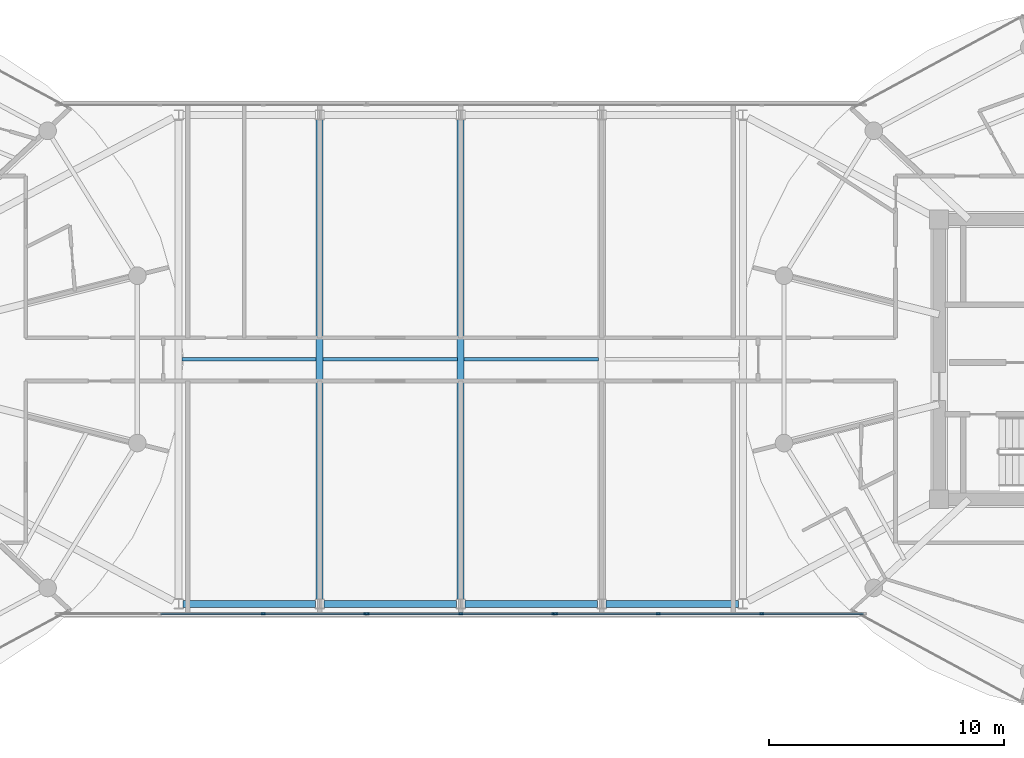
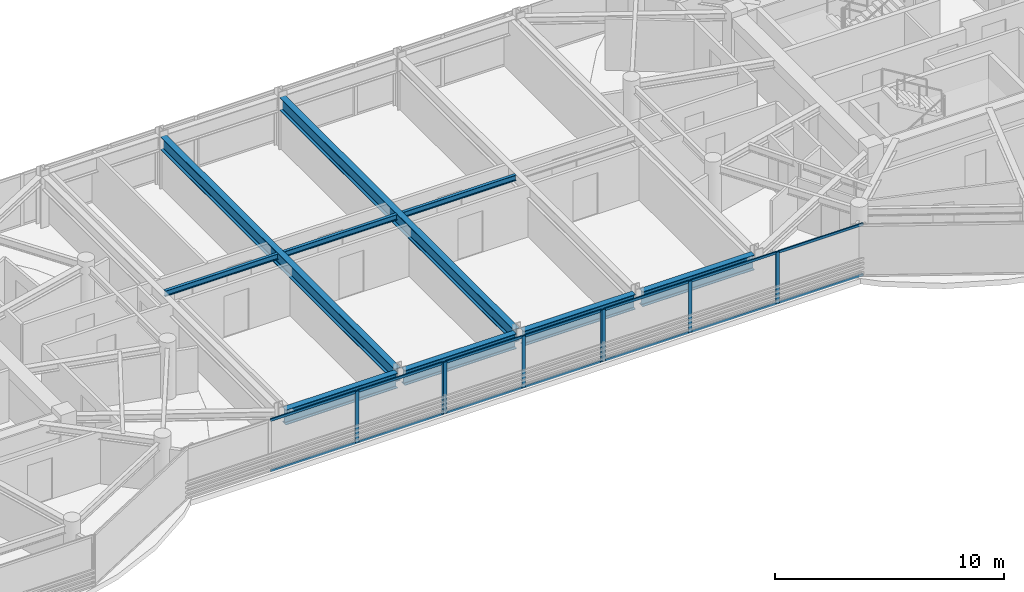
# One storey, part 6 of 24: 22 members, 9 beams, 3 elements without a shape of their own.
"""IFC4 building model written with IfcOpenShell, lengths in metres."""

from ifc_helpers import new_model, si_unit, direction, frame, origin, origin_2d, place, context, subcontext, project, spatial, rectangle, i_section, extrude, source, transform, mapped, material, layer, layer_set, material_profile, profile_set, type_object, type_shapes, element, aggregate, save


model = new_model("IFC4")

# Units and contexts
model_context = context("Model", 3, precision=1e-05, world=origin(), true_north=direction((0.0, 1.0)))
body_context = subcontext(model_context, "Body", "Model", "MODEL_VIEW")
ifc_project = project(units=[si_unit("LENGTHUNIT", "METRE"), si_unit("AREAUNIT", "SQUARE_METRE"), si_unit("VOLUMEUNIT", "CUBIC_METRE"), si_unit("PLANEANGLEUNIT", "RADIAN"), si_unit("MASSUNIT", "GRAM", prefix="KILO")], contexts=[model_context])

# Site, building, storey
site_placement = place(None, origin())
site = spatial("IfcSite", under=ifc_project, at=site_placement, CompositionType="ELEMENT")
building_placement = place(site_placement, origin())
building = spatial("IfcBuilding", under=site, at=building_placement, Name="Norrkilde Senior Care Towers", CompositionType="ELEMENT")
storey_placement = place(building_placement, frame((0.0, 0.0, 213.89990234375)))
storey = spatial("IfcBuildingStorey", under=building, at=storey_placement, Name="L66", CompositionType="ELEMENT", Elevation=213.89990234375)

# Beams
ifc_material_1 = material(Name="Steel S355", Category="steel")
ifc_material_profile_1 = material_profile(ifc_material_1, i_section(OverallWidth=0.300048828125, OverallDepth=0.699951171875, WebThickness=0.01708984375, FlangeThickness=0.031982421875, FilletRadius=0.027099609375, at=origin_2d()), Name="HEB 700")
ifc_profile_set_1 = profile_set([ifc_material_profile_1], Name="Steel S355")
beam_type_1 = type_object("IfcBeamType", Name="Bridge Cross Girder HEB700", PredefinedType="USERDEFINED", material=ifc_profile_set_1)
shared_shape_1 = source(origin(), body_context, "Body", "SweptSolid", [
    extrude(i_section(OverallWidth=0.300048828125, OverallDepth=0.699951171875, WebThickness=0.01708984375, FlangeThickness=0.031982421875, FilletRadius=0.027099609375, at=origin_2d()), origin(), (0.0, 0.0, 1.0), 20.43994140625),
])
type_shapes(beam_type_1, [shared_shape_1])
for number, where, z_axis, x_axis, name in (
    (1, (-6.0, -10.219970703125, 2.41015625), (0.0, 1.0, 0.0), (-1.0, 0.0, 0.0), "L66 Sky-Gate Bridge Cross Girder -6"),
    (2, (0.0, -10.219970703125, 2.41015625), (0.0, 1.0, 0.0), (-1.0, 0.0, 0.0), "L66 Sky-Gate Bridge Cross Girder +0"),
):
    element("IfcBeam", number, at=place(storey_placement, frame(where, z_axis=z_axis, x_axis=x_axis)), inside=storey, type_object=beam_type_1, Name=name, ObjectType="GIRDER", PredefinedType="USERDEFINED", context=body_context, shape_type="MappedRepresentation", body=[
        mapped(shared_shape_1, transform((0.0, 0.0, 0.0), x_axis=(1.0, 0.0, 0.0), y_axis=(0.0, 1.0, 0.0), z_axis=(0.0, 0.0, 1.0), scale=1.0)),
    ])
ifc_material_profile_2 = material_profile(ifc_material_1, i_section(OverallWidth=0.300048828125, OverallDepth=0.800048828125, WebThickness=0.017578125, FlangeThickness=0.032958984375, FilletRadius=0.030029296875, at=origin_2d()), Name="HEB 800")
ifc_profile_set_2 = profile_set([ifc_material_profile_2], Name="Steel S355")
beam_type_2 = type_object("IfcBeamType", Name="Bridge Floor Girder HEB800", PredefinedType="USERDEFINED", material=ifc_profile_set_2)
shared_shape_2 = source(origin(), body_context, "Body", "SweptSolid", [
    extrude(i_section(OverallWidth=0.300048828125, OverallDepth=0.800048828125, WebThickness=0.017578125, FlangeThickness=0.032958984375, FilletRadius=0.030029296875, at=origin_2d()), origin(), (0.0, 0.0, 1.0), 5.64013671875),
])
type_shapes(beam_type_2, [shared_shape_2])
for number, where, z_axis, x_axis, name in (
    (3, (-11.820068359375, -10.39990234375, 2.360107421875), (1.0, 0.0, 0.0), (0.0, 1.0, 0.0), "L66 Sky-Gate Bridge Girder S2"),
    (4, (-5.820068359375, -10.39990234375, 2.360107421875), (1.0, 0.0, 0.0), (0.0, 1.0, 0.0), "L66 Sky-Gate Bridge Girder S3"),
    (5, (0.179931640625, -10.39990234375, 2.360107421875), (1.0, 0.0, 0.0), (0.0, 1.0, 0.0), "L66 Sky-Gate Bridge Girder S4"),
    (6, (6.179931640625, -10.39990234375, 2.360107421875), (1.0, 0.0, 0.0), (0.0, 1.0, 0.0), "L66 Sky-Gate Bridge Girder S5"),
):
    element("IfcBeam", number, at=place(storey_placement, frame(where, z_axis=z_axis, x_axis=x_axis)), inside=storey, type_object=beam_type_2, Name=name, ObjectType="GIRDER", PredefinedType="USERDEFINED", context=body_context, shape_type="MappedRepresentation", body=[
        mapped(shared_shape_2, transform((0.0, 0.0, 0.0), x_axis=(1.0, 0.0, 0.0), y_axis=(0.0, 1.0, 0.0), z_axis=(0.0, 0.0, 1.0), scale=1.0)),
    ])
ifc_material_profile_3 = material_profile(ifc_material_1, i_section(OverallWidth=0.14990234375, OverallDepth=0.300048828125, WebThickness=0.007080078125, FlangeThickness=0.0107421875, FilletRadius=0.014892578125, at=origin_2d()), Name="IPE 300")
ifc_profile_set_3 = profile_set([ifc_material_profile_3], Name="Steel S355")
beam_type_3 = type_object("IfcBeamType", Name="Bridge Deck Joist IPE300", PredefinedType="JOIST", material=ifc_profile_set_3)
shared_shape_3 = source(origin(), body_context, "Body", "SweptSolid", [
    extrude(i_section(OverallWidth=0.14990234375, OverallDepth=0.300048828125, WebThickness=0.007080078125, FlangeThickness=0.0107421875, FilletRadius=0.014892578125, at=origin_2d()), origin(), (0.0, 0.0, 1.0), 5.7099609375),
])
type_shapes(beam_type_3, [shared_shape_3])
for number, where, z_axis, x_axis, name in (
    (7, (-11.85498046875, 0.0, 2.610107421875), (1.0, 0.0, 0.0), (0.0, 1.0, 0.0), "L66 Bridge Deck Joist 1"),
    (8, (-5.85498046875, 0.0, 2.610107421875), (1.0, 0.0, 0.0), (0.0, 1.0, 0.0), "L66 Bridge Deck Joist 2"),
    (9, (0.14501953125, 0.0, 2.610107421875), (1.0, 0.0, 0.0), (0.0, 1.0, 0.0), "L66 Bridge Deck Joist 3"),
):
    element("IfcBeam", number, at=place(storey_placement, frame(where, z_axis=z_axis, x_axis=x_axis)), inside=storey, type_object=beam_type_3, Name=name, PredefinedType="JOIST", context=body_context, shape_type="MappedRepresentation", body=[
        mapped(shared_shape_3, transform((0.0, 0.0, 0.0), x_axis=(1.0, 0.0, 0.0), y_axis=(0.0, 1.0, 0.0), z_axis=(0.0, 0.0, 1.0), scale=1.0)),
    ])

# Curtain wall, members
ifc_material_2 = material(Name="Triple Low-E Insulated Glazing", Category="glass")
ifc_layer = layer(ifc_material_2, 0.2099609375)
ifc_layer_set = layer_set([ifc_layer], Name="Triple Low-E Insulated Glazing")
curtain_wall_type = type_object("IfcCurtainWallType", Name="CW5 Sky-Gate Bridge Curtain Wall", PredefinedType="NOTDEFINED", material=ifc_layer_set)
curtain_wall_1_placement = place(storey_placement, origin())
curtain_wall_1 = element("IfcCurtainWall", 10, at=curtain_wall_1_placement, inside=storey, type_object=curtain_wall_type, Name="L66 Sky-Gate Bridge South Curtain Wall 1", PredefinedType="NOTDEFINED")
ifc_material_3 = material(Name="Anodised Aluminium", Category="aluminium")
ifc_material_profile_4 = material_profile(ifc_material_3, rectangle(XDim=0.06494140625, YDim=0.1298828125, at=origin_2d()), Name="ALU TRAN 65x130")
ifc_profile_set_4 = profile_set([ifc_material_profile_4], Name="Anodised Aluminium")
member_type_1 = type_object("IfcMemberType", Name="Curtain Wall Transom Heavy 65x130", PredefinedType="USERDEFINED", material=ifc_profile_set_4)
shared_shape_4 = source(origin(), body_context, "Body", "SweptSolid", [
    extrude(rectangle(XDim=0.06494140625, YDim=0.1298828125, at=origin_2d()), origin(), (0.0, 0.0, 1.0), 4.294921875),
])
member_1_placement = place(storey_placement, frame((17.1298828125, -10.820068359375, 0.03271484375), z_axis=(-1.0, 0.0, 0.0), x_axis=(0.0, -1.0, 0.0)))
member_1 = element("IfcMember", 11, at=member_1_placement, type_object=member_type_1, Name="CW-5 transom 1.1", ObjectType="TRANSOM", PredefinedType="USERDEFINED", context=body_context, shape_type="MappedRepresentation", body=[
    mapped(shared_shape_4, transform((0.0, 0.0, 0.0), x_axis=(1.0, 0.0, 0.0), y_axis=(0.0, 1.0, 0.0), z_axis=(0.0, 0.0, 1.0), scale=1.0)),
])
member_2_placement = place(storey_placement, frame((17.1298828125, -10.820068359375, 2.7275390625), z_axis=(-1.0, 0.0, 0.0), x_axis=(0.0, -1.0, 0.0)))
member_2 = element("IfcMember", 12, at=member_2_placement, type_object=member_type_1, Name="CW-5 transom 1.2", ObjectType="TRANSOM", PredefinedType="USERDEFINED", context=body_context, shape_type="MappedRepresentation", body=[
    mapped(shared_shape_4, transform((0.0, 0.0, 0.0), x_axis=(1.0, 0.0, 0.0), y_axis=(0.0, 1.0, 0.0), z_axis=(0.0, 0.0, 1.0), scale=1.0)),
])
member_3_placement = place(storey_placement, frame((8.364990234375, -10.820068359375, 0.03271484375), z_axis=(-1.0, 0.0, 0.0), x_axis=(0.0, -1.0, 0.0)))
member_3 = element("IfcMember", 13, at=member_3_placement, type_object=member_type_1, Name="CW-5 transom 3.1", ObjectType="TRANSOM", PredefinedType="USERDEFINED", context=body_context, shape_type="MappedRepresentation", body=[
    mapped(shared_shape_4, transform((0.0, 0.0, 0.0), x_axis=(1.0, 0.0, 0.0), y_axis=(0.0, 1.0, 0.0), z_axis=(0.0, 0.0, 1.0), scale=1.0)),
])
member_4_placement = place(storey_placement, frame((8.364990234375, -10.820068359375, 2.7275390625), z_axis=(-1.0, 0.0, 0.0), x_axis=(0.0, -1.0, 0.0)))
member_4 = element("IfcMember", 14, at=member_4_placement, type_object=member_type_1, Name="CW-5 transom 3.2", ObjectType="TRANSOM", PredefinedType="USERDEFINED", context=body_context, shape_type="MappedRepresentation", body=[
    mapped(shared_shape_4, transform((0.0, 0.0, 0.0), x_axis=(1.0, 0.0, 0.0), y_axis=(0.0, 1.0, 0.0), z_axis=(0.0, 0.0, 1.0), scale=1.0)),
])

curtain_wall_2_placement = place(storey_placement, origin())
curtain_wall_2 = element("IfcCurtainWall", 15, at=curtain_wall_2_placement, inside=storey, type_object=curtain_wall_type, Name="L66 Sky-Gate Bridge South Curtain Wall 3", PredefinedType="NOTDEFINED")
member_5_placement = place(storey_placement, frame((-4.070068359375, -10.820068359375, 0.03271484375), z_axis=(-1.0, 0.0, 0.0), x_axis=(0.0, -1.0, 0.0)))
member_5 = element("IfcMember", 16, at=member_5_placement, type_object=member_type_1, Name="CW-5 transom 1.1", ObjectType="TRANSOM", PredefinedType="USERDEFINED", context=body_context, shape_type="MappedRepresentation", body=[
    mapped(shared_shape_4, transform((0.0, 0.0, 0.0), x_axis=(1.0, 0.0, 0.0), y_axis=(0.0, 1.0, 0.0), z_axis=(0.0, 0.0, 1.0), scale=1.0)),
])
member_6_placement = place(storey_placement, frame((-4.070068359375, -10.820068359375, 2.7275390625), z_axis=(-1.0, 0.0, 0.0), x_axis=(0.0, -1.0, 0.0)))
member_6 = element("IfcMember", 17, at=member_6_placement, type_object=member_type_1, Name="CW-5 transom 1.2", ObjectType="TRANSOM", PredefinedType="USERDEFINED", context=body_context, shape_type="MappedRepresentation", body=[
    mapped(shared_shape_4, transform((0.0, 0.0, 0.0), x_axis=(1.0, 0.0, 0.0), y_axis=(0.0, 1.0, 0.0), z_axis=(0.0, 0.0, 1.0), scale=1.0)),
])

# Member
shared_shape_5 = source(origin(), body_context, "Body", "SweptSolid", [
    extrude(rectangle(XDim=0.06494140625, YDim=0.1298828125, at=origin_2d()), origin(), (0.0, 0.0, 1.0), 4.329833984375),
])
member_7_placement = place(storey_placement, frame((12.764892578125, -10.820068359375, 0.03271484375), z_axis=(-1.0, 0.0, 0.0), x_axis=(0.0, -1.0, 0.0)))
member_7 = element("IfcMember", 18, at=member_7_placement, type_object=member_type_1, Name="CW-5 transom 2.1", ObjectType="TRANSOM", PredefinedType="USERDEFINED", context=body_context, shape_type="MappedRepresentation", body=[
    mapped(shared_shape_5, transform((0.0, 0.0, 0.0), x_axis=(1.0, 0.0, 0.0), y_axis=(0.0, 1.0, 0.0), z_axis=(0.0, 0.0, 1.0), scale=1.0)),
])

member_8_placement = place(storey_placement, frame((12.764892578125, -10.820068359375, 2.7275390625), z_axis=(-1.0, 0.0, 0.0), x_axis=(0.0, -1.0, 0.0)))
member_8 = element("IfcMember", 19, at=member_8_placement, type_object=member_type_1, Name="CW-5 transom 2.2", ObjectType="TRANSOM", PredefinedType="USERDEFINED", context=body_context, shape_type="MappedRepresentation", body=[
    mapped(shared_shape_5, transform((0.0, 0.0, 0.0), x_axis=(1.0, 0.0, 0.0), y_axis=(0.0, 1.0, 0.0), z_axis=(0.0, 0.0, 1.0), scale=1.0)),
])

member_9_placement = place(storey_placement, frame((-8.43505859375, -10.820068359375, 0.03271484375), z_axis=(-1.0, 0.0, 0.0), x_axis=(0.0, -1.0, 0.0)))
member_9 = element("IfcMember", 20, at=member_9_placement, type_object=member_type_1, Name="CW-5 transom 2.1", ObjectType="TRANSOM", PredefinedType="USERDEFINED", context=body_context, shape_type="MappedRepresentation", body=[
    mapped(shared_shape_5, transform((0.0, 0.0, 0.0), x_axis=(1.0, 0.0, 0.0), y_axis=(0.0, 1.0, 0.0), z_axis=(0.0, 0.0, 1.0), scale=1.0)),
])

member_10_placement = place(storey_placement, frame((-8.43505859375, -10.820068359375, 2.7275390625), z_axis=(-1.0, 0.0, 0.0), x_axis=(0.0, -1.0, 0.0)))
member_10 = element("IfcMember", 21, at=member_10_placement, type_object=member_type_1, Name="CW-5 transom 2.2", ObjectType="TRANSOM", PredefinedType="USERDEFINED", context=body_context, shape_type="MappedRepresentation", body=[
    mapped(shared_shape_5, transform((0.0, 0.0, 0.0), x_axis=(1.0, 0.0, 0.0), y_axis=(0.0, 1.0, 0.0), z_axis=(0.0, 0.0, 1.0), scale=1.0)),
])

# Curtain wall, members
curtain_wall_3_placement = place(storey_placement, origin())
curtain_wall_3 = element("IfcCurtainWall", 22, at=curtain_wall_3_placement, inside=storey, type_object=curtain_wall_type, Name="L66 Sky-Gate Bridge South Curtain Wall 2", PredefinedType="NOTDEFINED")
shared_shape_6 = source(origin(), body_context, "Body", "SweptSolid", [
    extrude(rectangle(XDim=0.06494140625, YDim=0.1298828125, at=origin_2d()), origin(), (0.0, 0.0, 1.0), 3.89501953125),
])
type_shapes(member_type_1, [shared_shape_4, shared_shape_5, shared_shape_6])
member_11_placement = place(storey_placement, frame((3.929931640625, -10.820068359375, 0.03271484375), z_axis=(-1.0, 0.0, 0.0), x_axis=(0.0, -1.0, 0.0)))
member_11 = element("IfcMember", 23, at=member_11_placement, type_object=member_type_1, Name="CW-5 transom 1.1", ObjectType="TRANSOM", PredefinedType="USERDEFINED", context=body_context, shape_type="MappedRepresentation", body=[
    mapped(shared_shape_6, transform((0.0, 0.0, 0.0), x_axis=(1.0, 0.0, 0.0), y_axis=(0.0, 1.0, 0.0), z_axis=(0.0, 0.0, 1.0), scale=1.0)),
])
member_12_placement = place(storey_placement, frame((3.929931640625, -10.820068359375, 2.7275390625), z_axis=(-1.0, 0.0, 0.0), x_axis=(0.0, -1.0, 0.0)))
member_12 = element("IfcMember", 24, at=member_12_placement, type_object=member_type_1, Name="CW-5 transom 1.2", ObjectType="TRANSOM", PredefinedType="USERDEFINED", context=body_context, shape_type="MappedRepresentation", body=[
    mapped(shared_shape_6, transform((0.0, 0.0, 0.0), x_axis=(1.0, 0.0, 0.0), y_axis=(0.0, 1.0, 0.0), z_axis=(0.0, 0.0, 1.0), scale=1.0)),
])
member_13_placement = place(storey_placement, frame((-0.034912109375, -10.820068359375, 0.03271484375), z_axis=(-1.0, 0.0, 0.0), x_axis=(0.0, -1.0, 0.0)))
member_13 = element("IfcMember", 25, at=member_13_placement, type_object=member_type_1, Name="CW-5 transom 2.1", ObjectType="TRANSOM", PredefinedType="USERDEFINED", context=body_context, shape_type="MappedRepresentation", body=[
    mapped(shared_shape_6, transform((0.0, 0.0, 0.0), x_axis=(1.0, 0.0, 0.0), y_axis=(0.0, 1.0, 0.0), z_axis=(0.0, 0.0, 1.0), scale=1.0)),
])
member_14_placement = place(storey_placement, frame((-0.034912109375, -10.820068359375, 2.7275390625), z_axis=(-1.0, 0.0, 0.0), x_axis=(0.0, -1.0, 0.0)))
member_14 = element("IfcMember", 26, at=member_14_placement, type_object=member_type_1, Name="CW-5 transom 2.2", ObjectType="TRANSOM", PredefinedType="USERDEFINED", context=body_context, shape_type="MappedRepresentation", body=[
    mapped(shared_shape_6, transform((0.0, 0.0, 0.0), x_axis=(1.0, 0.0, 0.0), y_axis=(0.0, 1.0, 0.0), z_axis=(0.0, 0.0, 1.0), scale=1.0)),
])

# Member
ifc_material_profile_5 = material_profile(ifc_material_3, rectangle(XDim=0.070068359375, YDim=0.169921875, at=origin_2d()), Name="ALU MULL 70x170")
ifc_profile_set_5 = profile_set([ifc_material_profile_5], Name="Anodised Aluminium")
member_type_2 = type_object("IfcMemberType", Name="Curtain Wall Mullion Heavy 70x170", PredefinedType="MULLION", material=ifc_profile_set_5)
shared_shape_7 = source(origin(), body_context, "Body", "SweptSolid", [
    extrude(rectangle(XDim=0.070068359375, YDim=0.169921875, at=origin_2d()), origin(), (0.0, 0.0, 1.0), 2.760009765625),
])
type_shapes(member_type_2, [shared_shape_7])
member_15_placement = place(storey_placement, frame((12.800048828125, -10.820068359375, 0.0), z_axis=(0.0, 0.0, 1.0), x_axis=(0.0, -1.0, 0.0)))
member_15 = element("IfcMember", 27, at=member_15_placement, type_object=member_type_2, Name="CW-5 mullion 2", PredefinedType="MULLION", context=body_context, shape_type="MappedRepresentation", body=[
    mapped(shared_shape_7, transform((0.0, 0.0, 0.0), x_axis=(1.0, 0.0, 0.0), y_axis=(0.0, 1.0, 0.0), z_axis=(0.0, 0.0, 1.0), scale=1.0)),
])

member_16_placement = place(storey_placement, frame((8.39990234375, -10.820068359375, 0.0), z_axis=(0.0, 0.0, 1.0), x_axis=(0.0, -1.0, 0.0)))
member_16 = element("IfcMember", 28, at=member_16_placement, type_object=member_type_2, Name="CW-5 mullion 3", PredefinedType="MULLION", context=body_context, shape_type="MappedRepresentation", body=[
    mapped(shared_shape_7, transform((0.0, 0.0, 0.0), x_axis=(1.0, 0.0, 0.0), y_axis=(0.0, 1.0, 0.0), z_axis=(0.0, 0.0, 1.0), scale=1.0)),
])

member_17_placement = place(storey_placement, frame((4.034912109375, -10.820068359375, 0.0), z_axis=(0.0, 0.0, 1.0), x_axis=(0.0, -1.0, 0.0)))
member_17 = element("IfcMember", 29, at=member_17_placement, type_object=member_type_2, Name="CW-5 mullion 4", PredefinedType="MULLION", context=body_context, shape_type="MappedRepresentation", body=[
    mapped(shared_shape_7, transform((0.0, 0.0, 0.0), x_axis=(1.0, 0.0, 0.0), y_axis=(0.0, 1.0, 0.0), z_axis=(0.0, 0.0, 1.0), scale=1.0)),
])

aggregate(curtain_wall_1, [member_15, member_16, member_17, member_1, member_2, member_7, member_8, member_3, member_4])

member_18_placement = place(storey_placement, frame((3.965087890625, -10.820068359375, 0.0), z_axis=(0.0, 0.0, 1.0), x_axis=(0.0, -1.0, 0.0)))
member_18 = element("IfcMember", 30, at=member_18_placement, type_object=member_type_2, Name="CW-5 mullion 1", PredefinedType="MULLION", context=body_context, shape_type="MappedRepresentation", body=[
    mapped(shared_shape_7, transform((0.0, 0.0, 0.0), x_axis=(1.0, 0.0, 0.0), y_axis=(0.0, 1.0, 0.0), z_axis=(0.0, 0.0, 1.0), scale=1.0)),
])

member_19_placement = place(storey_placement, frame((0.0, -10.820068359375, 0.0), z_axis=(0.0, 0.0, 1.0), x_axis=(0.0, -1.0, 0.0)))
member_19 = element("IfcMember", 31, at=member_19_placement, type_object=member_type_2, Name="CW-5 mullion 2", PredefinedType="MULLION", context=body_context, shape_type="MappedRepresentation", body=[
    mapped(shared_shape_7, transform((0.0, 0.0, 0.0), x_axis=(1.0, 0.0, 0.0), y_axis=(0.0, 1.0, 0.0), z_axis=(0.0, 0.0, 1.0), scale=1.0)),
])

member_20_placement = place(storey_placement, frame((-3.965087890625, -10.820068359375, 0.0), z_axis=(0.0, 0.0, 1.0), x_axis=(0.0, -1.0, 0.0)))
member_20 = element("IfcMember", 32, at=member_20_placement, type_object=member_type_2, Name="CW-5 mullion 3", PredefinedType="MULLION", context=body_context, shape_type="MappedRepresentation", body=[
    mapped(shared_shape_7, transform((0.0, 0.0, 0.0), x_axis=(1.0, 0.0, 0.0), y_axis=(0.0, 1.0, 0.0), z_axis=(0.0, 0.0, 1.0), scale=1.0)),
])

aggregate(curtain_wall_3, [member_18, member_19, member_20, member_11, member_12, member_13, member_14])

member_21_placement = place(storey_placement, frame((-4.034912109375, -10.820068359375, 0.0), z_axis=(0.0, 0.0, 1.0), x_axis=(0.0, -1.0, 0.0)))
member_21 = element("IfcMember", 33, at=member_21_placement, type_object=member_type_2, Name="CW-5 mullion 1", PredefinedType="MULLION", context=body_context, shape_type="MappedRepresentation", body=[
    mapped(shared_shape_7, transform((0.0, 0.0, 0.0), x_axis=(1.0, 0.0, 0.0), y_axis=(0.0, 1.0, 0.0), z_axis=(0.0, 0.0, 1.0), scale=1.0)),
])

member_22_placement = place(storey_placement, frame((-8.39990234375, -10.820068359375, 0.0), z_axis=(0.0, 0.0, 1.0), x_axis=(0.0, -1.0, 0.0)))
member_22 = element("IfcMember", 34, at=member_22_placement, type_object=member_type_2, Name="CW-5 mullion 2", PredefinedType="MULLION", context=body_context, shape_type="MappedRepresentation", body=[
    mapped(shared_shape_7, transform((0.0, 0.0, 0.0), x_axis=(1.0, 0.0, 0.0), y_axis=(0.0, 1.0, 0.0), z_axis=(0.0, 0.0, 1.0), scale=1.0)),
])

aggregate(curtain_wall_2, [member_21, member_22, member_5, member_6, member_9, member_10])

save(model, "model.ifc")
